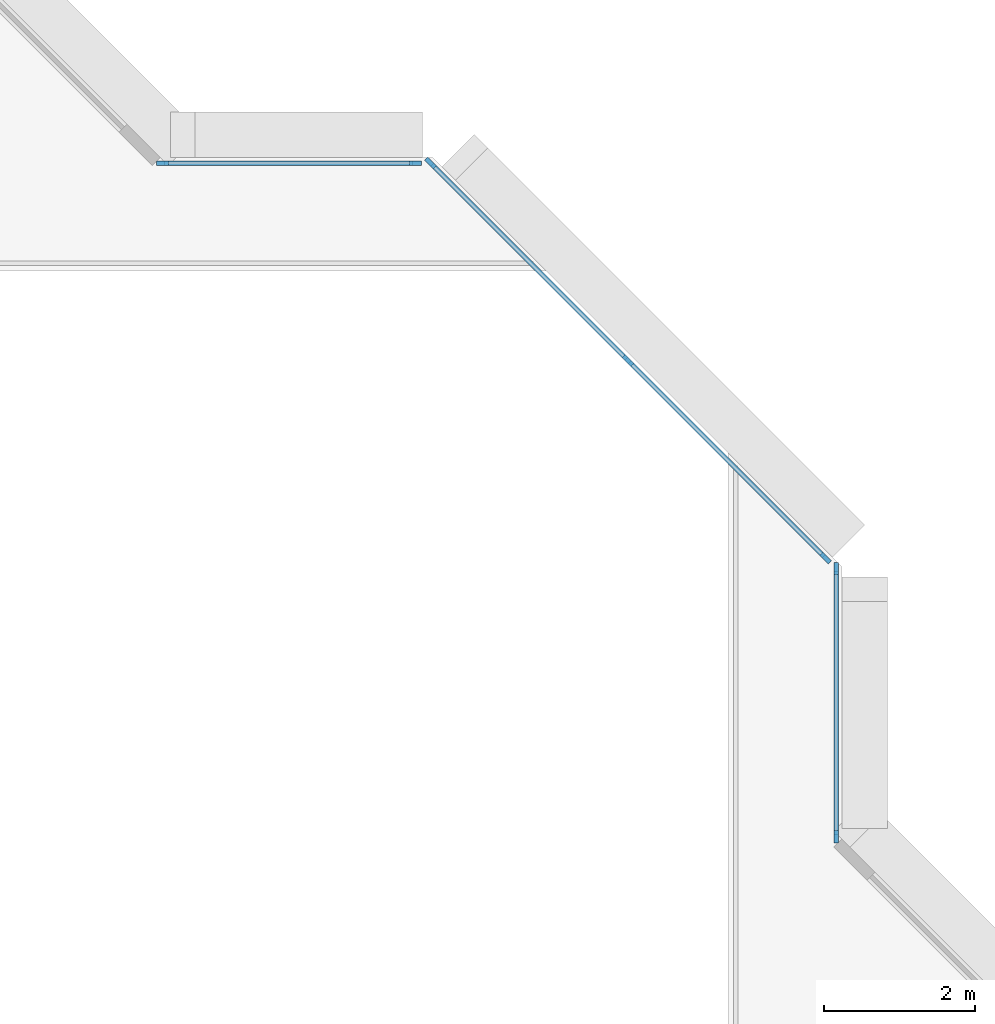
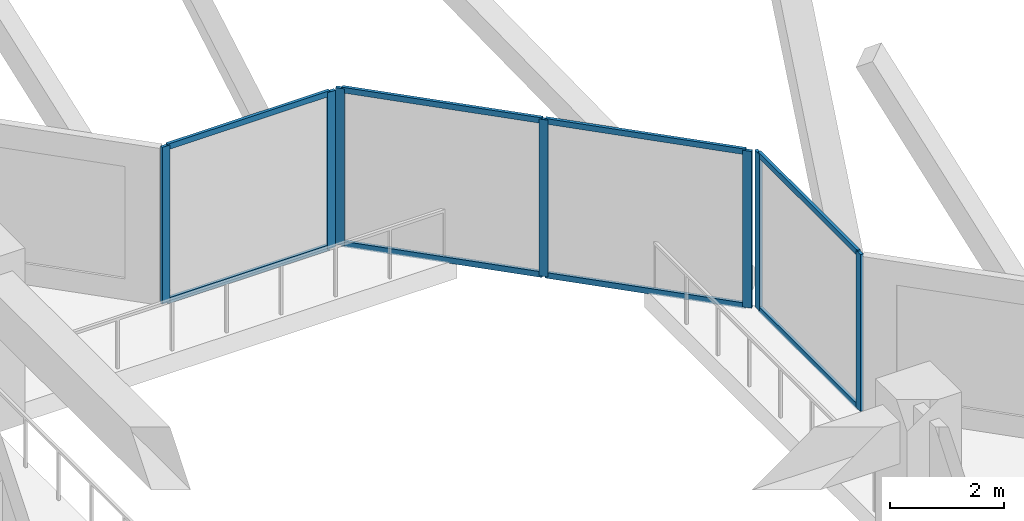
# One storey, part 2 of 15: 15 members, 3 elements without a shape of their own.
"""IFC4 building model written with IfcOpenShell, lengths in metres."""

import ifcopenshell
import ifcopenshell.guid

model = None  # the IFC model being written
_history = None  # IfcOwnerHistory: only IFC2X3 demands one
_inside = {}  # id of a spatial element -> (the spatial element, [elements in it])
_under = {}  # id of a project, library or spatial element -> (it, [spatial elements below it])
_declared = {}  # id of a project -> (the project, [libraries it declares])
_typed = {}  # id of a type object -> (the type object, [elements of that type])
_made_of = {}  # id of a material, layer set ... -> (it, [elements and type objects made of it])


def new_model(schema):
    """Start an empty IFC model of exactly this schema.

    Asked for "IFC4X3", IfcOpenShell would pick the latest addendum, in which some entities
    have other attributes; the version numbers below select the first issue.
    IFC2X3 requires an IfcOwnerHistory on every rooted entity: one is made here for all.
    """
    global model, _history
    if schema == "IFC4X3":
        model = ifcopenshell.file(schema_version=(4, 3, 0, 0))
    else:
        model = ifcopenshell.file(schema=schema)
    _inside.clear()
    _under.clear()
    _declared.clear()
    _typed.clear()
    _made_of.clear()
    _history = None
    if model.schema == "IFC2X3":
        org = make("IfcOrganization", Name="unknown")
        user = make(
            "IfcPersonAndOrganization",
            ThePerson=make("IfcPerson", FamilyName="unknown"),
            TheOrganization=org,
        )
        app = make(
            "IfcApplication",
            ApplicationDeveloper=org,
            Version="unknown",
            ApplicationFullName="unknown",
            ApplicationIdentifier="unknown",
        )
        _history = make(
            "IfcOwnerHistory",
            OwningUser=user,
            OwningApplication=app,
            ChangeAction="ADDED",
            CreationDate=0,
        )
    return model


def make(cls, **values):
    """One entity of the class cls with the attributes given. An attribute that is None is left unset."""
    return model.create_entity(
        cls, **{name: value for name, value in values.items() if value is not None}
    )


def rooted(cls, **values):
    """An entity with a GlobalId (a new one), such as an element, a storey or a relation."""
    return make(cls, GlobalId=ifcopenshell.guid.new(), OwnerHistory=_history, **values)


def si_unit(unit_type, name, prefix=None):
    """IfcSIUnit, for example si_unit("LENGTHUNIT", "METRE", prefix="MILLI")."""
    return make("IfcSIUnit", UnitType=unit_type, Prefix=prefix, Name=name)


def assignment(units):
    """IfcUnitAssignment: the units of a project."""
    return None if units is None else make("IfcUnitAssignment", Units=units)


def point(xyz):
    """IfcCartesianPoint."""
    return None if xyz is None else make("IfcCartesianPoint", Coordinates=xyz)


def direction(xyz):
    """IfcDirection."""
    return None if xyz is None else make("IfcDirection", DirectionRatios=xyz)


def frame(location, z_axis=None, x_axis=None):
    """IfcAxis2Placement3D, a coordinate frame: its origin and axes. An axis left out is left unset."""
    return make(
        "IfcAxis2Placement3D",
        Location=point(location),
        Axis=direction(z_axis),
        RefDirection=direction(x_axis),
    )


def frame_2d(location, x_axis=None):
    """IfcAxis2Placement2D, a coordinate frame in the plane: its origin and x axis."""
    return make(
        "IfcAxis2Placement2D", Location=point(location), RefDirection=direction(x_axis)
    )


def origin():
    """The frame at (0, 0, 0) with its axes left unset."""
    return frame((0.0, 0.0, 0.0))


def origin_2d():
    """The frame at (0, 0) in the plane with its x axis left unset."""
    return frame_2d((0.0, 0.0))


def place(relative_to, where):
    """IfcLocalPlacement: puts the frame where relative to a parent placement (None: the world)."""
    return make(
        "IfcLocalPlacement", PlacementRelTo=relative_to, RelativePlacement=where
    )


def context(
    kind, dimensions, precision=None, world=None, true_north=None, identifier=None
):
    """IfcGeometricRepresentationContext, for example the 3D "Model" context."""
    return make(
        "IfcGeometricRepresentationContext",
        ContextIdentifier=identifier,
        ContextType=kind,
        CoordinateSpaceDimension=dimensions,
        Precision=precision,
        WorldCoordinateSystem=world,
        TrueNorth=true_north,
    )


def subcontext(parent, identifier, kind, view, scale=None):
    """IfcGeometricRepresentationSubContext, for example "Body" below "Model"."""
    return make(
        "IfcGeometricRepresentationSubContext",
        ContextIdentifier=identifier,
        ContextType=kind,
        ParentContext=parent,
        TargetScale=scale,
        TargetView=view,
    )


def project(units=None, contexts=None):
    """IfcProject with its units and contexts."""
    return rooted(
        "IfcProject",
        Name="project",
        RepresentationContexts=contexts,
        UnitsInContext=assignment(units),
    )


def spatial(cls, under=None, at=None, **own):
    """A site, building, storey or space (cls), placed at a placement, below another one or the project."""
    s = rooted(cls, ObjectPlacement=at, **own)
    if under is not None:
        _under.setdefault(under.id(), (under, []))[1].append(s)
    return s


def profile(cls, at=None, kind="AREA", **sizes):
    """A parametric profile (cls). Its sizes go by their IFC names, for example OverallWidth=200.0."""
    return make(cls, ProfileType=kind, Position=at, **sizes)


def rectangle(**sizes):
    """IfcRectangleProfileDef."""
    return profile("IfcRectangleProfileDef", **sizes)


def extrude(swept, where, along, depth):
    """IfcExtrudedAreaSolid: the profile swept, set in the frame where, extruded along a direction by depth."""
    return make(
        "IfcExtrudedAreaSolid",
        SweptArea=swept,
        Position=where,
        ExtrudedDirection=direction(along),
        Depth=depth,
    )


def shape(context_of_items, identifier, shape_type, items):
    """IfcShapeRepresentation: the items that make up one representation, for example the "Body"."""
    return make(
        "IfcShapeRepresentation",
        ContextOfItems=context_of_items,
        RepresentationIdentifier=identifier,
        RepresentationType=shape_type,
        Items=items,
    )


def material(Name=None, Category=None):
    """IfcMaterial."""
    return make("IfcMaterial", Name=Name, Category=Category)


def layer(
    of_material, thickness, ventilated=None, Name=None, Category=None, Priority=None
):
    """IfcMaterialLayer: one layer of a wall or slab, of a material (None: an air gap)."""
    return make(
        "IfcMaterialLayer",
        Material=of_material,
        LayerThickness=thickness,
        IsVentilated=ventilated,
        Name=Name,
        Category=Category,
        Priority=Priority,
    )


def layer_set(layers, Name=None):
    """IfcMaterialLayerSet."""
    return make("IfcMaterialLayerSet", MaterialLayers=layers, LayerSetName=Name)


def material_profile(
    of_material, cross_section, Name=None, Category=None, Priority=None
):
    """IfcMaterialProfile: a cross section and its material."""
    return make(
        "IfcMaterialProfile",
        Name=Name,
        Material=of_material,
        Profile=cross_section,
        Priority=Priority,
        Category=Category,
    )


def profile_set(profiles, Name=None, composite=None):
    """IfcMaterialProfileSet."""
    return make(
        "IfcMaterialProfileSet",
        Name=Name,
        MaterialProfiles=profiles,
        CompositeProfile=composite,
    )


def made_of(thing, what):
    """Note that an element or type object is made of a material, layer set ...; save() writes the relation."""
    if what is not None:
        _made_of.setdefault(what.id(), (what, []))[1].append(thing)
    return thing


def type_object(cls, material=None, **own):
    """A type object (cls), such as IfcWallType, which elements share."""
    return made_of(rooted(cls, **own), material)


def element(
    cls,
    number,
    at=None,
    inside=None,
    cuts=None,
    type_object=None,
    material=None,
    context=None,
    identifier="Body",
    shape_type=None,
    held_by="IfcProductDefinitionShape",
    body=None,
    shapes=None,
    **own,
):
    """One element of the class cls, such as IfcWall. Its Tag is "e" and its number.

    at: its placement. inside: the storey or other place that contains it. cuts: it is an
    opening in that element (IfcRelVoidsElement). A single representation is given by context,
    identifier, shape_type and body (its items); several are given by shapes. held_by: the class
    of the entity that holds the representations. save() writes the other relations.
    """
    e = rooted(cls, Tag="e%d" % number, ObjectPlacement=at, **own)
    if body is not None:
        shapes = [shape(context, identifier, shape_type, body)]
    if shapes is not None:
        e.Representation = make(held_by, Representations=shapes)
    if inside is not None:
        _inside.setdefault(inside.id(), (inside, []))[1].append(e)
    if cuts is not None:
        rooted(
            "IfcRelVoidsElement", RelatingBuildingElement=cuts, RelatedOpeningElement=e
        )
    if type_object is not None:
        _typed.setdefault(type_object.id(), (type_object, []))[1].append(e)
    return made_of(e, material)


def aggregate(whole, parts):
    """IfcRelAggregates: a whole, such as a stair, and the parts it consists of."""
    return rooted("IfcRelAggregates", RelatingObject=whole, RelatedObjects=parts)


def save(model, path):
    """Write the relations noted so far, then the file.

    IfcRelAggregates (storeys below a building ...), IfcRelContainedInSpatialStructure (elements
    in a storey), IfcRelDefinesByType, IfcRelAssociatesMaterial and IfcRelDeclares: one each for
    every whole, place, type object, material and project.
    """
    for whole, parts in _under.values():
        aggregate(whole, parts)
    for where, things in _inside.values():
        rooted(
            "IfcRelContainedInSpatialStructure",
            RelatedElements=things,
            RelatingStructure=where,
        )
    for kind, things in _typed.values():
        rooted("IfcRelDefinesByType", RelatedObjects=things, RelatingType=kind)
    for what, things in _made_of.values():
        rooted("IfcRelAssociatesMaterial", RelatedObjects=things, RelatingMaterial=what)
    for by, libraries in _declared.values():
        rooted("IfcRelDeclares", RelatingContext=by, RelatedDefinitions=libraries)
    model.write(path)


model = new_model("IFC4")

# Units and contexts
model_context = context("Model", 3, precision=1e-05, world=origin(), true_north=direction((0.0, 1.0)))
body_context = subcontext(model_context, "Body", "Model", "MODEL_VIEW")
ifc_project = project(units=[si_unit("LENGTHUNIT", "METRE"), si_unit("AREAUNIT", "SQUARE_METRE"), si_unit("VOLUMEUNIT", "CUBIC_METRE"), si_unit("PLANEANGLEUNIT", "RADIAN"), si_unit("MASSUNIT", "GRAM", prefix="KILO")], contexts=[model_context])

# Site, building, storey
site_placement = place(None, origin())
site = spatial("IfcSite", under=ifc_project, at=site_placement, CompositionType="ELEMENT")
building_placement = place(site_placement, origin())
building = spatial("IfcBuilding", under=site, at=building_placement, Name="Chenar Terraces", CompositionType="ELEMENT")
storey_placement = place(building_placement, frame((0.0, 0.0, 56.39990234375)))
storey = spatial("IfcBuildingStorey", under=building, at=storey_placement, Name="L11", CompositionType="ELEMENT", Elevation=56.39990234375)

# Curtain wall, members
ifc_material_1 = material(Name="Aluminium framed glazing", Category="aluminium")
ifc_layer = layer(ifc_material_1, 0.14990234375)
ifc_layer_set = layer_set([ifc_layer], Name="Aluminium framed glazing")
curtain_wall_type = type_object("IfcCurtainWallType", Name="Atrium curtain wall", PredefinedType="NOTDEFINED", material=ifc_layer_set)
placement = place(storey_placement, origin())
curtain_wall_1 = element("IfcCurtainWall", 1, at=placement, inside=storey, type_object=curtain_wall_type, Name="Atrium curtain wall", PredefinedType="NOTDEFINED")
ifc_material_2 = material(Name="Aluminium", Category="aluminium")
ifc_material_profile_1 = material_profile(ifc_material_2, rectangle(XDim=0.06005859375, YDim=0.159912109375, at=origin_2d()), Name="Atrium glazing mullion 60 x 160")
ifc_profile_set_1 = profile_set([ifc_material_profile_1], Name="Aluminium")
member_type_1 = type_object("IfcMemberType", Name="Atrium glazing mullion 60 x 160", PredefinedType="MULLION", material=ifc_profile_set_1)
member_1_placement = place(storey_placement, frame((37.425048828125, 28.530029296875, 0.0), z_axis=(0.0, 0.0, 1.0), x_axis=(-1.0, 0.0, 0.0)))
member_1 = element("IfcMember", 2, at=member_1_placement, type_object=member_type_1, Name="CW1-1 mullion 1", PredefinedType="MULLION", context=body_context, shape_type="SweptSolid", body=[
    extrude(rectangle(XDim=0.06005859375, YDim=0.159912109375, at=origin_2d()), origin(), (0.0, 0.0, 1.0), 3.35009765625),
])
member_2_placement = place(storey_placement, frame((37.425048828125, 32.070068359375, 0.0), z_axis=(0.0, 0.0, 1.0), x_axis=(-1.0, 0.0, 0.0)))
member_2 = element("IfcMember", 3, at=member_2_placement, type_object=member_type_1, Name="CW1-1 mullion 2", PredefinedType="MULLION", context=body_context, shape_type="SweptSolid", body=[
    extrude(rectangle(XDim=0.06005859375, YDim=0.159912109375, at=origin_2d()), origin(), (0.0, 0.0, 1.0), 3.35009765625),
])

curtain_wall_2 = element("IfcCurtainWall", 4, at=placement, inside=storey, type_object=curtain_wall_type, Name="Atrium curtain wall", PredefinedType="NOTDEFINED")
member_3_placement = place(storey_placement, frame((37.284423828125, 32.209716796875, 0.0), z_axis=(0.0, 0.0, 1.0), x_axis=(-0.707106781187, -0.707106781187, 0.0)))
member_3 = element("IfcMember", 5, at=member_3_placement, type_object=member_type_1, Name="CW1-2 mullion 1", PredefinedType="MULLION", context=body_context, shape_type="SweptSolid", body=[
    extrude(rectangle(XDim=0.06005859375, YDim=0.159912109375, at=origin_2d()), origin(), (0.0, 0.0, 1.0), 3.35009765625),
])
member_4_placement = place(storey_placement, frame((34.67626953125, 34.817626953125, 0.0), z_axis=(0.0, 0.0, 1.0), x_axis=(-0.707106781187, -0.707106781187, 0.0)))
member_4 = element("IfcMember", 6, at=member_4_placement, type_object=member_type_1, Name="CW1-2 mullion 2", PredefinedType="MULLION", context=body_context, shape_type="SweptSolid", body=[
    extrude(rectangle(XDim=0.06005859375, YDim=0.159912109375, at=origin_2d()), origin(), (0.0, 0.0, 1.0), 3.35009765625),
])
member_5_placement = place(storey_placement, frame((32.068115234375, 37.42578125, 0.0), z_axis=(0.0, 0.0, 1.0), x_axis=(-0.707106781187, -0.707106781187, 0.0)))
member_5 = element("IfcMember", 7, at=member_5_placement, type_object=member_type_1, Name="CW1-2 mullion 3", PredefinedType="MULLION", context=body_context, shape_type="SweptSolid", body=[
    extrude(rectangle(XDim=0.06005859375, YDim=0.159912109375, at=origin_2d()), origin(), (0.0, 0.0, 1.0), 3.35009765625),
])

curtain_wall_3 = element("IfcCurtainWall", 8, at=placement, inside=storey, type_object=curtain_wall_type, Name="Atrium curtain wall", PredefinedType="NOTDEFINED")
member_6_placement = place(storey_placement, frame((31.8701171875, 37.425048828125, 0.0), z_axis=(0.0, 0.0, 1.0), x_axis=(0.0, -1.0, 0.0)))
member_6 = element("IfcMember", 9, at=member_6_placement, type_object=member_type_1, Name="CW1-3 mullion 1", PredefinedType="MULLION", context=body_context, shape_type="SweptSolid", body=[
    extrude(rectangle(XDim=0.06005859375, YDim=0.159912109375, at=origin_2d()), origin(), (0.0, 0.0, 1.0), 3.35009765625),
])
member_7_placement = place(storey_placement, frame((28.530029296875, 37.425048828125, 0.0), z_axis=(0.0, 0.0, 1.0), x_axis=(0.0, -1.0, 0.0)))
member_7 = element("IfcMember", 10, at=member_7_placement, type_object=member_type_1, Name="CW1-3 mullion 2", PredefinedType="MULLION", context=body_context, shape_type="SweptSolid", body=[
    extrude(rectangle(XDim=0.06005859375, YDim=0.159912109375, at=origin_2d()), origin(), (0.0, 0.0, 1.0), 3.35009765625),
])

# Member
ifc_material_3 = material(Name="Aluminium", Category="aluminium")
ifc_material_profile_2 = material_profile(ifc_material_3, rectangle(XDim=0.06005859375, YDim=0.1201171875, at=origin_2d()), Name="Atrium glazing transom 60 x 120")
ifc_profile_set_2 = profile_set([ifc_material_profile_2], Name="Aluminium")
member_type_2 = type_object("IfcMemberType", Name="Atrium glazing transom 60 x 120", PredefinedType="USERDEFINED", material=ifc_profile_set_2)
member_8_placement = place(storey_placement, frame((37.425048828125, 28.56005859375, 0.030029296875), z_axis=(0.0, 1.0, 0.0), x_axis=(-1.0, 0.0, 0.0)))
member_8 = element("IfcMember", 11, at=member_8_placement, type_object=member_type_2, Name="CW1-1 transom 1.1", ObjectType="TRANSOM", PredefinedType="USERDEFINED", context=body_context, shape_type="SweptSolid", body=[
    extrude(rectangle(XDim=0.06005859375, YDim=0.1201171875, at=origin_2d()), origin(), (0.0, 0.0, 1.0), 3.47998046875),
])

member_9_placement = place(storey_placement, frame((37.425048828125, 28.56005859375, 3.320068359375), z_axis=(0.0, 1.0, 0.0), x_axis=(-1.0, 0.0, 0.0)))
member_9 = element("IfcMember", 12, at=member_9_placement, type_object=member_type_2, Name="CW1-1 transom 1.2", ObjectType="TRANSOM", PredefinedType="USERDEFINED", context=body_context, shape_type="SweptSolid", body=[
    extrude(rectangle(XDim=0.06005859375, YDim=0.1201171875, at=origin_2d()), origin(), (0.0, 0.0, 1.0), 3.47998046875),
])

aggregate(curtain_wall_1, [member_1, member_2, member_8, member_9])

member_10_placement = place(storey_placement, frame((37.26318359375, 32.230712890625, 0.030029296875), z_axis=(-0.707106781187, 0.707106781187, 0.0), x_axis=(-0.707106781187, -0.707106781187, 0.0)))
member_10 = element("IfcMember", 13, at=member_10_placement, type_object=member_type_2, Name="CW1-2 transom 1.1", ObjectType="TRANSOM", PredefinedType="USERDEFINED", context=body_context, shape_type="SweptSolid", body=[
    extrude(rectangle(XDim=0.06005859375, YDim=0.1201171875, at=origin_2d()), origin(), (0.0, 0.0, 1.0), 3.62841796875),
])

member_11_placement = place(storey_placement, frame((37.26318359375, 32.230712890625, 3.320068359375), z_axis=(-0.707106781187, 0.707106781187, 0.0), x_axis=(-0.707106781187, -0.707106781187, 0.0)))
member_11 = element("IfcMember", 14, at=member_11_placement, type_object=member_type_2, Name="CW1-2 transom 1.2", ObjectType="TRANSOM", PredefinedType="USERDEFINED", context=body_context, shape_type="SweptSolid", body=[
    extrude(rectangle(XDim=0.06005859375, YDim=0.1201171875, at=origin_2d()), origin(), (0.0, 0.0, 1.0), 3.62841796875),
])

member_12_placement = place(storey_placement, frame((34.655029296875, 34.8388671875, 0.030029296875), z_axis=(-0.707106781187, 0.707106781187, 0.0), x_axis=(-0.707106781187, -0.707106781187, 0.0)))
member_12 = element("IfcMember", 15, at=member_12_placement, type_object=member_type_2, Name="CW1-2 transom 2.1", ObjectType="TRANSOM", PredefinedType="USERDEFINED", context=body_context, shape_type="SweptSolid", body=[
    extrude(rectangle(XDim=0.06005859375, YDim=0.1201171875, at=origin_2d()), origin(), (0.0, 0.0, 1.0), 3.62841796875),
])

member_13_placement = place(storey_placement, frame((34.655029296875, 34.8388671875, 3.320068359375), z_axis=(-0.707106781187, 0.707106781187, 0.0), x_axis=(-0.707106781187, -0.707106781187, 0.0)))
member_13 = element("IfcMember", 16, at=member_13_placement, type_object=member_type_2, Name="CW1-2 transom 2.2", ObjectType="TRANSOM", PredefinedType="USERDEFINED", context=body_context, shape_type="SweptSolid", body=[
    extrude(rectangle(XDim=0.06005859375, YDim=0.1201171875, at=origin_2d()), origin(), (0.0, 0.0, 1.0), 3.62841796875),
])

aggregate(curtain_wall_2, [member_3, member_4, member_5, member_10, member_11, member_12, member_13])

member_14_placement = place(storey_placement, frame((31.840087890625, 37.425048828125, 0.030029296875), z_axis=(-1.0, 0.0, 0.0), x_axis=(0.0, -1.0, 0.0)))
member_14 = element("IfcMember", 17, at=member_14_placement, type_object=member_type_2, Name="CW1-3 transom 1.1", ObjectType="TRANSOM", PredefinedType="USERDEFINED", context=body_context, shape_type="SweptSolid", body=[
    extrude(rectangle(XDim=0.06005859375, YDim=0.1201171875, at=origin_2d()), origin(), (0.0, 0.0, 1.0), 3.280029296875),
])

member_15_placement = place(storey_placement, frame((31.840087890625, 37.425048828125, 3.320068359375), z_axis=(-1.0, 0.0, 0.0), x_axis=(0.0, -1.0, 0.0)))
member_15 = element("IfcMember", 18, at=member_15_placement, type_object=member_type_2, Name="CW1-3 transom 1.2", ObjectType="TRANSOM", PredefinedType="USERDEFINED", context=body_context, shape_type="SweptSolid", body=[
    extrude(rectangle(XDim=0.06005859375, YDim=0.1201171875, at=origin_2d()), origin(), (0.0, 0.0, 1.0), 3.280029296875),
])

aggregate(curtain_wall_3, [member_6, member_7, member_14, member_15])

save(model, "model.ifc")
